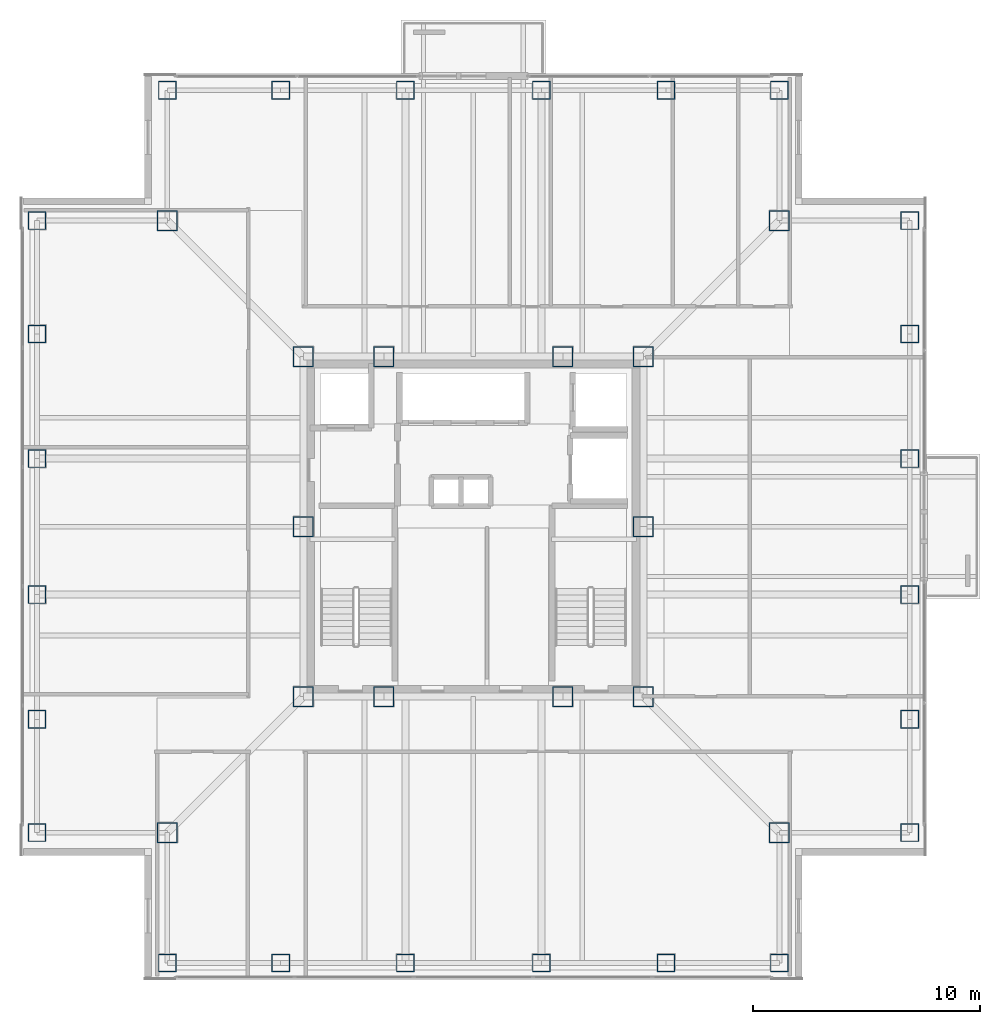
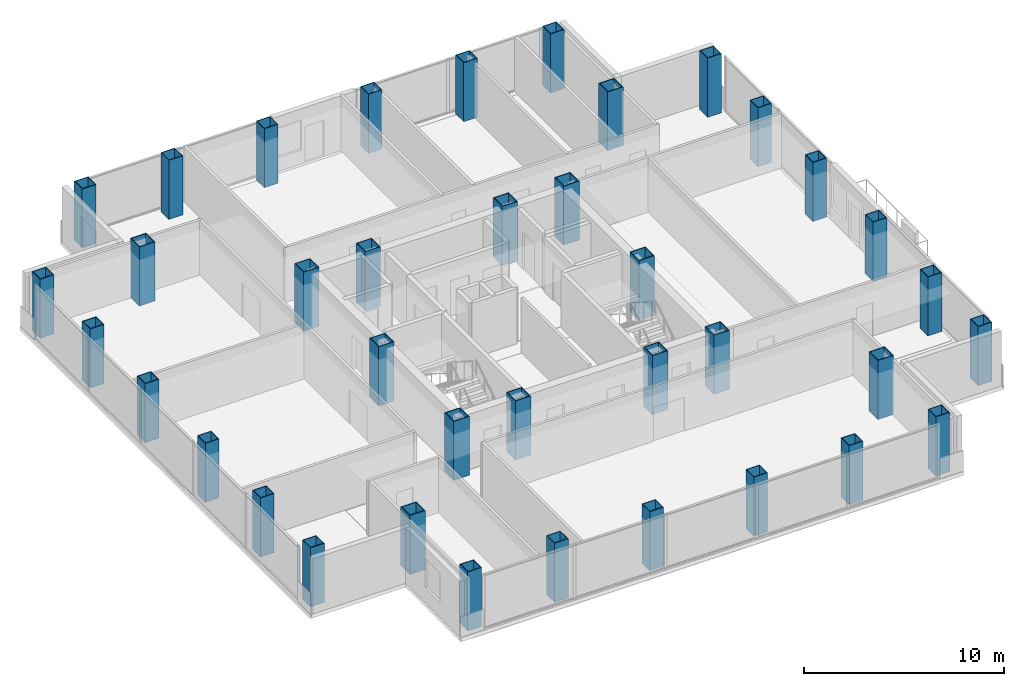
# One storey, part 1 of 17: 38 columns.
"""IFC4 building model written with IfcOpenShell, lengths in metres."""

from ifc_helpers import new_model, si_unit, direction, frame, origin, origin_2d, place, context, subcontext, project, spatial, hollow_rectangle, extrude, material, material_profile, profile_set, type_object, element, save


model = new_model("IFC4")

# Units and contexts
model_context = context("Model", 3, precision=1e-05, world=origin(), true_north=direction((0.0, 1.0)))
body_context = subcontext(model_context, "Body", "Model", "MODEL_VIEW")
ifc_project = project(units=[si_unit("LENGTHUNIT", "METRE"), si_unit("AREAUNIT", "SQUARE_METRE"), si_unit("VOLUMEUNIT", "CUBIC_METRE"), si_unit("PLANEANGLEUNIT", "RADIAN"), si_unit("MASSUNIT", "GRAM", prefix="KILO")], contexts=[model_context])

# Site, building, storey
site_placement = place(None, origin())
site = spatial("IfcSite", under=ifc_project, at=site_placement, CompositionType="ELEMENT")
building_placement = place(site_placement, origin())
building = spatial("IfcBuilding", under=site, at=building_placement, Name="Trevonay Congress Spire", CompositionType="ELEMENT")
storey_placement = place(building_placement, frame((0.0, 0.0, 187.800048828125)))
storey = spatial("IfcBuildingStorey", under=building, at=storey_placement, Name="L48", CompositionType="ELEMENT", Elevation=187.800048828125)

# Columns
ifc_material = material(Name="Steel ASTM A572 Grade 50", Category="steel")
ifc_material_profile_1 = material_profile(ifc_material, hollow_rectangle(XDim=0.89990234375, YDim=0.89990234375, WallThickness=0.044921875, at=origin_2d()), Name="BOX 900x900x45")
ifc_profile_set_1 = profile_set([ifc_material_profile_1], Name="Steel ASTM A572 Grade 50")
column_type_1 = type_object("IfcColumnType", Name="COL-CORE-BOX900", PredefinedType="COLUMN", material=ifc_profile_set_1)
for number, where, z_axis, x_axis, name in (
    (1, (-7.5, -7.5, 0.0), (0.0, 0.0, 1.0), (1.0, 0.0, 0.0), "L48 column C04 at CC-SW"),
    (2, (-3.949951171875, -7.5, 0.0), (0.0, 0.0, 1.0), (1.0, 0.0, 0.0), "L48 column C04 at CC-SMW"),
    (3, (3.949951171875, -7.5, 0.0), (0.0, 0.0, 1.0), (1.0, 0.0, 0.0), "L48 column C04 at CC-SME"),
    (4, (7.5, -7.5, 0.0), (0.0, 0.0, 1.0), (1.0, 0.0, 0.0), "L48 column C04 at CC-SE"),
    (5, (7.5, 0.0, 0.0), (0.0, 0.0, 1.0), (1.0, 0.0, 0.0), "L48 column C04 at CC-E"),
    (6, (7.5, 7.5, 0.0), (0.0, 0.0, 1.0), (1.0, 0.0, 0.0), "L48 column C04 at CC-NE"),
    (7, (3.949951171875, 7.5, 0.0), (0.0, 0.0, 1.0), (1.0, 0.0, 0.0), "L48 column C04 at CC-NME"),
    (8, (-3.949951171875, 7.5, 0.0), (0.0, 0.0, 1.0), (1.0, 0.0, 0.0), "L48 column C04 at CC-NMW"),
    (9, (-7.5, 7.5, 0.0), (0.0, 0.0, 1.0), (1.0, 0.0, 0.0), "L48 column C04 at CC-NW"),
    (10, (-7.5, 0.0, 0.0), (0.0, 0.0, 1.0), (1.0, 0.0, 0.0), "L48 column C04 at CC-W"),
):
    element("IfcColumn", number, at=place(storey_placement, frame(where, z_axis=z_axis, x_axis=x_axis)), inside=storey, type_object=column_type_1, Name=name, PredefinedType="COLUMN", context=body_context, shape_type="SweptSolid", body=[
        extrude(hollow_rectangle(XDim=0.89990234375, YDim=0.89990234375, WallThickness=0.044921875, at=origin_2d()), origin(), (0.0, 0.0, 1.0), 3.599853515625),
    ])
ifc_material_profile_2 = material_profile(ifc_material, hollow_rectangle(XDim=0.800048828125, YDim=0.800048828125, WallThickness=0.0400390625, at=origin_2d()), Name="BOX 800x800x40")
ifc_profile_set_2 = profile_set([ifc_material_profile_2], Name="Steel ASTM A572 Grade 50")
column_type_2 = type_object("IfcColumnType", Name="COL-TUBE-BOX800", PredefinedType="COLUMN", material=ifc_profile_set_2)
for number, where, z_axis, x_axis, name in (
    (11, (-13.5, -19.25, 0.0), (0.0, 0.0, 1.0), (1.0, 0.0, 0.0), "L48 column C16 at TS-1"),
    (12, (-13.5, 19.25, 0.0), (0.0, 0.0, 1.0), (1.0, 0.0, 0.0), "L48 column C16 at TN-1"),
    (13, (-19.25, -13.5, 0.0), (0.0, 0.0, 1.0), (1.0, 0.0, 0.0), "L48 column C16 at TW-1"),
    (14, (19.25, -13.5, 0.0), (0.0, 0.0, 1.0), (1.0, 0.0, 0.0), "L48 column C16 at TE-1"),
    (15, (-8.5, -19.25, 0.0), (0.0, 0.0, 1.0), (1.0, 0.0, 0.0), "L48 column C16 at TS-2"),
    (16, (-8.5, 19.25, 0.0), (0.0, 0.0, 1.0), (1.0, 0.0, 0.0), "L48 column C16 at TN-2"),
    (17, (-19.25, -8.5, 0.0), (0.0, 0.0, 1.0), (1.0, 0.0, 0.0), "L48 column C16 at TW-2"),
    (18, (19.25, -8.5, 0.0), (0.0, 0.0, 1.0), (1.0, 0.0, 0.0), "L48 column C16 at TE-2"),
    (19, (-3.0, -19.25, 0.0), (0.0, 0.0, 1.0), (1.0, 0.0, 0.0), "L48 column C16 at TS-3"),
    (20, (-3.0, 19.25, 0.0), (0.0, 0.0, 1.0), (1.0, 0.0, 0.0), "L48 column C16 at TN-3"),
    (21, (-19.25, -3.0, 0.0), (0.0, 0.0, 1.0), (1.0, 0.0, 0.0), "L48 column C16 at TW-3"),
    (22, (19.25, -3.0, 0.0), (0.0, 0.0, 1.0), (1.0, 0.0, 0.0), "L48 column C16 at TE-3"),
    (23, (3.0, -19.25, 0.0), (0.0, 0.0, 1.0), (1.0, 0.0, 0.0), "L48 column C16 at TS-4"),
    (24, (3.0, 19.25, 0.0), (0.0, 0.0, 1.0), (1.0, 0.0, 0.0), "L48 column C16 at TN-4"),
    (25, (-19.25, 3.0, 0.0), (0.0, 0.0, 1.0), (1.0, 0.0, 0.0), "L48 column C16 at TW-4"),
    (26, (19.25, 3.0, 0.0), (0.0, 0.0, 1.0), (1.0, 0.0, 0.0), "L48 column C16 at TE-4"),
    (27, (8.5, -19.25, 0.0), (0.0, 0.0, 1.0), (1.0, 0.0, 0.0), "L48 column C16 at TS-5"),
    (28, (8.5, 19.25, 0.0), (0.0, 0.0, 1.0), (1.0, 0.0, 0.0), "L48 column C16 at TN-5"),
    (29, (-19.25, 8.5, 0.0), (0.0, 0.0, 1.0), (1.0, 0.0, 0.0), "L48 column C16 at TW-5"),
    (30, (19.25, 8.5, 0.0), (0.0, 0.0, 1.0), (1.0, 0.0, 0.0), "L48 column C16 at TE-5"),
    (31, (13.5, -19.25, 0.0), (0.0, 0.0, 1.0), (1.0, 0.0, 0.0), "L48 column C16 at TS-6"),
    (32, (13.5, 19.25, 0.0), (0.0, 0.0, 1.0), (1.0, 0.0, 0.0), "L48 column C16 at TN-6"),
    (33, (-19.25, 13.5, 0.0), (0.0, 0.0, 1.0), (1.0, 0.0, 0.0), "L48 column C16 at TW-6"),
    (34, (19.25, 13.5, 0.0), (0.0, 0.0, 1.0), (1.0, 0.0, 0.0), "L48 column C16 at TE-6"),
):
    element("IfcColumn", number, at=place(storey_placement, frame(where, z_axis=z_axis, x_axis=x_axis)), inside=storey, type_object=column_type_2, Name=name, PredefinedType="COLUMN", context=body_context, shape_type="SweptSolid", body=[
        extrude(hollow_rectangle(XDim=0.800048828125, YDim=0.800048828125, WallThickness=0.0400390625, at=origin_2d()), origin(), (0.0, 0.0, 1.0), 3.599853515625),
    ])
ifc_material_profile_3 = material_profile(ifc_material, hollow_rectangle(XDim=0.89990234375, YDim=0.89990234375, WallThickness=0.044921875, at=origin_2d()), Name="BOX 900x900x45")
ifc_profile_set_3 = profile_set([ifc_material_profile_3], Name="Steel ASTM A572 Grade 50")
column_type_3 = type_object("IfcColumnType", Name="COL-TUBE-BOX900", PredefinedType="COLUMN", material=ifc_profile_set_3)
for number, where, z_axis, x_axis, name in (
    (35, (-13.5, -13.5, 0.0), (0.0, 0.0, 1.0), (1.0, 0.0, 0.0), "L48 column C15 at NC-SW"),
    (36, (13.5, -13.5, 0.0), (0.0, 0.0, 1.0), (1.0, 0.0, 0.0), "L48 column C15 at NC-SE"),
    (37, (13.5, 13.5, 0.0), (0.0, 0.0, 1.0), (1.0, 0.0, 0.0), "L48 column C15 at NC-NE"),
    (38, (-13.5, 13.5, 0.0), (0.0, 0.0, 1.0), (1.0, 0.0, 0.0), "L48 column C15 at NC-NW"),
):
    element("IfcColumn", number, at=place(storey_placement, frame(where, z_axis=z_axis, x_axis=x_axis)), inside=storey, type_object=column_type_3, Name=name, PredefinedType="COLUMN", context=body_context, shape_type="SweptSolid", body=[
        extrude(hollow_rectangle(XDim=0.89990234375, YDim=0.89990234375, WallThickness=0.044921875, at=origin_2d()), origin(), (0.0, 0.0, 1.0), 3.599853515625),
    ])

save(model, "model.ifc")
